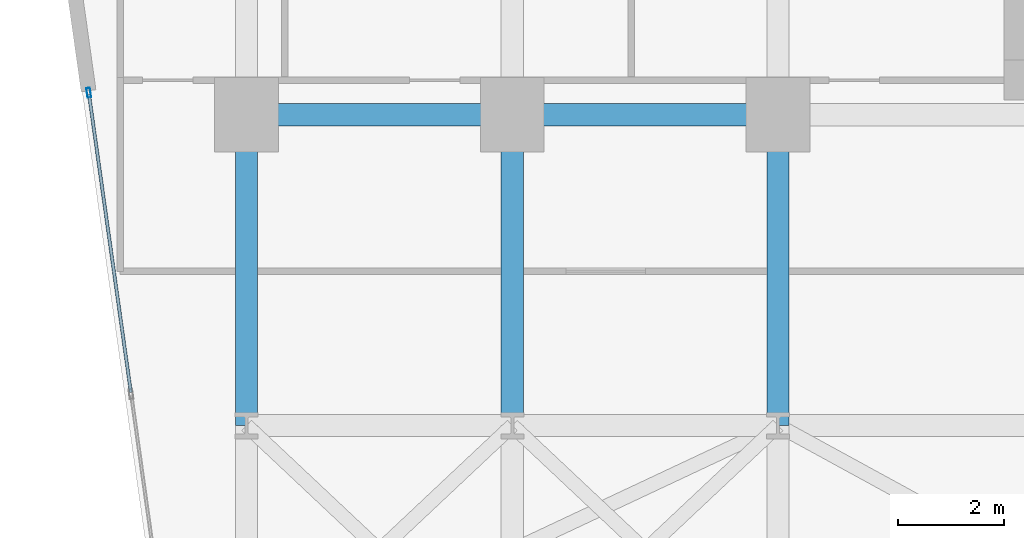
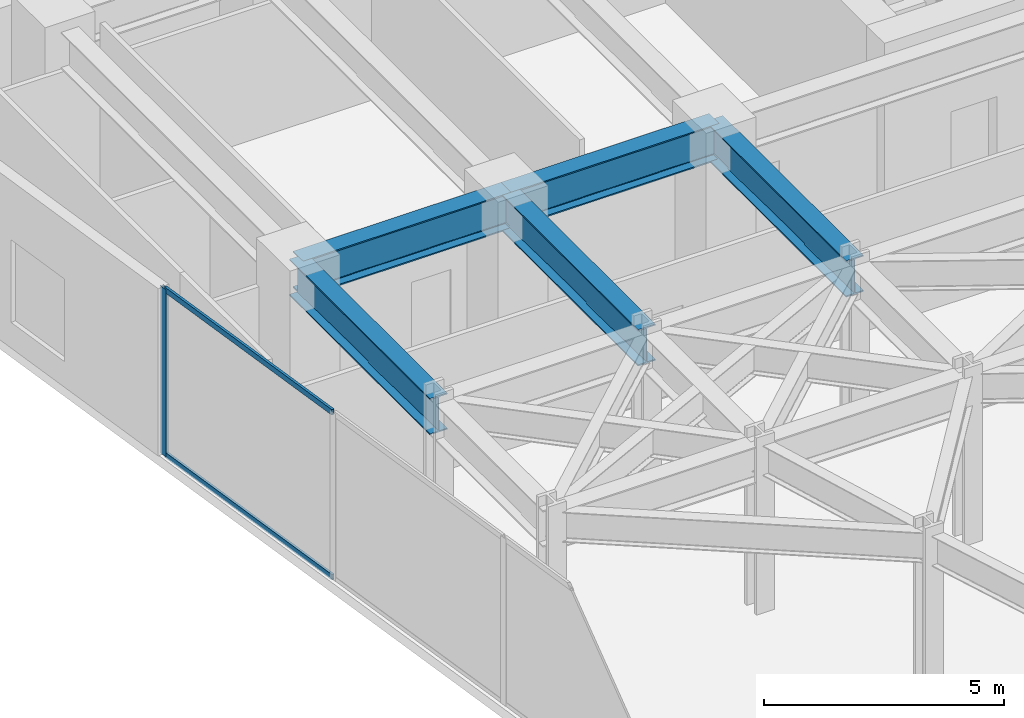
# One storey, part 20 of 28: 5 beams, 3 members, 1 element without a shape of its own.
"""IFC4 building model written with IfcOpenShell, lengths in metres."""

from ifc_helpers import new_model, si_unit, direction, frame, origin, origin_2d, place, context, subcontext, project, spatial, hollow_rectangle, i_section, extrude, material, layer, layer_set, material_profile, profile_set, type_object, element, aggregate, save


model = new_model("IFC4")

# Units and contexts
model_context = context("Model", 3, precision=1e-05, world=origin(), true_north=direction((0.0, 1.0)))
body_context = subcontext(model_context, "Body", "Model", "MODEL_VIEW")
ifc_project = project(units=[si_unit("LENGTHUNIT", "METRE"), si_unit("AREAUNIT", "SQUARE_METRE"), si_unit("VOLUMEUNIT", "CUBIC_METRE"), si_unit("PLANEANGLEUNIT", "RADIAN"), si_unit("MASSUNIT", "GRAM", prefix="KILO")], contexts=[model_context])

# Site, building, storey
site_placement = place(None, origin())
site = spatial("IfcSite", under=ifc_project, at=site_placement, CompositionType="ELEMENT")
building_placement = place(site_placement, origin())
building = spatial("IfcBuilding", under=site, at=building_placement, Name="Kravanh Interchange Tower", CompositionType="ELEMENT")
storey_placement = place(building_placement, frame((0.0, 0.0, 91.5)))
storey = spatial("IfcBuildingStorey", under=building, at=storey_placement, Name="L21", CompositionType="ELEMENT", Elevation=91.5)

# Curtain wall, members
ifc_material_1 = material(Name="Anodised Bronze Aluminium", Category="aluminium")
ifc_layer = layer(ifc_material_1, 0.179931640625)
ifc_layer_set = layer_set([ifc_layer], Name="Unitised Curtain Wall System CW-SKY Sky Observatory")
curtain_wall_type = type_object("IfcCurtainWallType", Name="Unitised Curtain Wall System CW-SKY Sky Observatory", PredefinedType="NOTDEFINED", material=ifc_layer_set)
curtain_wall_placement = place(storey_placement, origin())
curtain_wall = element("IfcCurtainWall", 1, at=curtain_wall_placement, inside=storey, type_object=curtain_wall_type, Name="L21 Unitised Curtain Wall CW-L21-01", PredefinedType="NOTDEFINED")
ifc_material_2 = material(Name="Anodised Bronze Aluminium", Category="aluminium")
ifc_material_profile_1 = material_profile(ifc_material_2, hollow_rectangle(XDim=0.070068359375, YDim=0.179931640625, WallThickness=0.00390625, at=origin_2d()), Name="ALU70X180X4")
ifc_profile_set_1 = profile_set([ifc_material_profile_1], Name="Anodised Bronze Aluminium")
member_type_1 = type_object("IfcMemberType", Name="Curtain Wall Mullion ALU70X180X4 Bronze", PredefinedType="MULLION", material=ifc_profile_set_1)
member_1_placement = place(storey_placement, frame((5.6298828125, 37.765380859375, 0.0), z_axis=(0.0, 0.0, 1.0), x_axis=(-0.990267585682, -0.139176538065, 0.0)))
member_1 = element("IfcMember", 2, at=member_1_placement, type_object=member_type_1, Name="CW-SKY mullion 7", PredefinedType="MULLION", context=body_context, shape_type="SweptSolid", body=[
    extrude(hollow_rectangle(XDim=0.070068359375, YDim=0.179931640625, WallThickness=0.00390625, at=origin_2d()), origin(), (0.0, 0.0, 1.0), 4.25),
])
ifc_material_3 = material(Name="Anodised Bronze Aluminium", Category="aluminium")
ifc_material_profile_2 = material_profile(ifc_material_3, hollow_rectangle(XDim=0.06005859375, YDim=0.139892578125, WallThickness=0.00390625, at=origin_2d()), Name="ALU60X140X4")
ifc_profile_set_2 = profile_set([ifc_material_profile_2], Name="Anodised Bronze Aluminium")
member_type_2 = type_object("IfcMemberType", Name="Curtain Wall Transom ALU60X140X4 Bronze", PredefinedType="USERDEFINED", material=ifc_profile_set_2)
member_2_placement = place(storey_placement, frame((6.422607421875, 32.1240234375, 0.030029296875), z_axis=(-0.139193386559, 0.990265217575, 0.0), x_axis=(-0.990265217575, -0.139193386559, 0.0)))
member_2 = element("IfcMember", 3, at=member_2_placement, type_object=member_type_2, Name="CW-SKY transom 6.1", ObjectType="TRANSOM", PredefinedType="USERDEFINED", context=body_context, shape_type="SweptSolid", body=[
    extrude(hollow_rectangle(XDim=0.06005859375, YDim=0.139892578125, WallThickness=0.00390625, at=origin_2d()), origin(), (0.0, 0.0, 1.0), 5.661865234375),
])
member_3_placement = place(storey_placement, frame((6.422607421875, 32.1240234375, 4.219970703125), z_axis=(-0.139193386559, 0.990265217575, 0.0), x_axis=(-0.990265217575, -0.139193386559, 0.0)))
member_3 = element("IfcMember", 4, at=member_3_placement, type_object=member_type_2, Name="CW-SKY transom 6.2", ObjectType="TRANSOM", PredefinedType="USERDEFINED", context=body_context, shape_type="SweptSolid", body=[
    extrude(hollow_rectangle(XDim=0.06005859375, YDim=0.139892578125, WallThickness=0.00390625, at=origin_2d()), origin(), (0.0, 0.0, 1.0), 5.661865234375),
])
aggregate(curtain_wall, [member_1, member_2, member_3])

# Beams
ifc_material_4 = material(Name="Structural Steel S355", Category="steel")
ifc_material_profile_3 = material_profile(ifc_material_4, i_section(OverallWidth=0.41796875, OverallDepth=0.927001953125, WebThickness=0.019287109375, FlangeThickness=0.031982421875, FilletRadius=0.028076171875, at=origin_2d()), Name="W36X231")
ifc_profile_set_3 = profile_set([ifc_material_profile_3], Name="Structural Steel S355")
beam_type = type_object("IfcBeamType", Name="Floor Beam W36X231 Structural Steel S355", PredefinedType="BEAM", material=ifc_profile_set_3)
beam_1_placement = place(storey_placement, frame((18.60009765625, 37.35009765625, 3.78662109375), z_axis=(-1.0, 0.0, 0.0), x_axis=(0.0, -1.0, 0.0)))
element("IfcBeam", 5, at=beam_1_placement, inside=storey, type_object=beam_type, Name="L21 Primary Floor Girder 28", PredefinedType="BEAM", context=body_context, shape_type="SweptSolid", body=[
    extrude(i_section(OverallWidth=0.41796875, OverallDepth=0.927001953125, WebThickness=0.019287109375, FlangeThickness=0.031982421875, FilletRadius=0.028076171875, at=origin_2d()), origin(), (0.0, 0.0, 1.0), 5.0),
])
beam_2_placement = place(storey_placement, frame((18.60009765625, 37.35009765625, 3.78662109375), z_axis=(0.0, -1.0, 0.0), x_axis=(1.0, 0.0, 0.0)))
element("IfcBeam", 6, at=beam_2_placement, inside=storey, type_object=beam_type, Name="L21 Primary Floor Girder 29", PredefinedType="BEAM", context=body_context, shape_type="SweptSolid", body=[
    extrude(i_section(OverallWidth=0.41796875, OverallDepth=0.927001953125, WebThickness=0.019287109375, FlangeThickness=0.031982421875, FilletRadius=0.028076171875, at=origin_2d()), origin(), (0.0, 0.0, 1.0), 5.85009765625),
])
beam_3_placement = place(storey_placement, frame((13.60009765625, 37.35009765625, 3.78662109375), z_axis=(-1.0, 0.0, 0.0), x_axis=(0.0, -1.0, 0.0)))
element("IfcBeam", 7, at=beam_3_placement, inside=storey, type_object=beam_type, Name="L21 Primary Floor Girder 32", PredefinedType="BEAM", context=body_context, shape_type="SweptSolid", body=[
    extrude(i_section(OverallWidth=0.41796875, OverallDepth=0.927001953125, WebThickness=0.019287109375, FlangeThickness=0.031982421875, FilletRadius=0.028076171875, at=origin_2d()), origin(), (0.0, 0.0, 1.0), 5.0),
])
for number, where, z_axis, x_axis, name in (
    (8, (13.60009765625, 37.35009765625, 3.78662109375), (0.0, -1.0, 0.0), (1.0, 0.0, 0.0), "L21 Primary Floor Girder 33"),
    (9, (8.60009765625, 37.35009765625, 3.78662109375), (0.0, -1.0, 0.0), (1.0, 0.0, 0.0), "L21 Primary Floor Girder 36"),
):
    element("IfcBeam", number, at=place(storey_placement, frame(where, z_axis=z_axis, x_axis=x_axis)), inside=storey, type_object=beam_type, Name=name, PredefinedType="BEAM", context=body_context, shape_type="SweptSolid", body=[
        extrude(i_section(OverallWidth=0.41796875, OverallDepth=0.927001953125, WebThickness=0.019287109375, FlangeThickness=0.031982421875, FilletRadius=0.028076171875, at=origin_2d()), origin(), (0.0, 0.0, 1.0), 5.85009765625),
    ])

save(model, "model.ifc")
